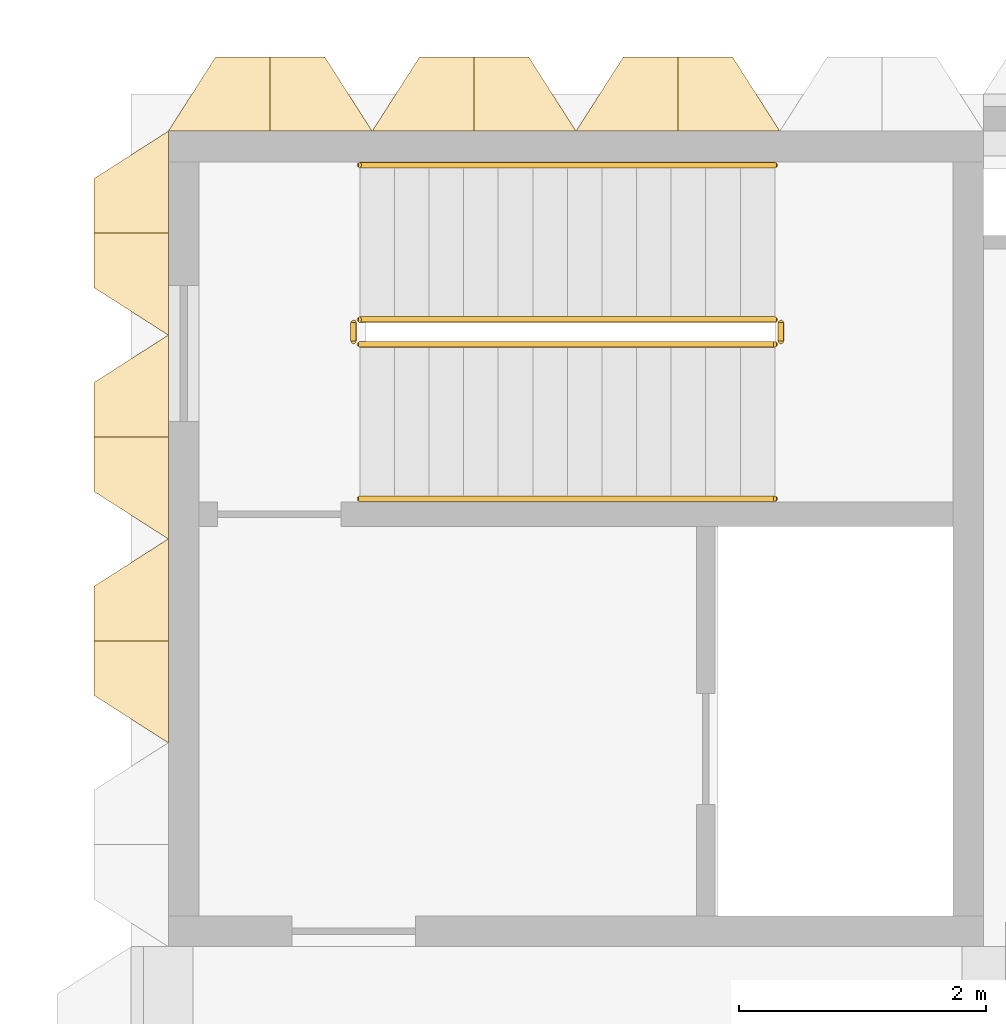
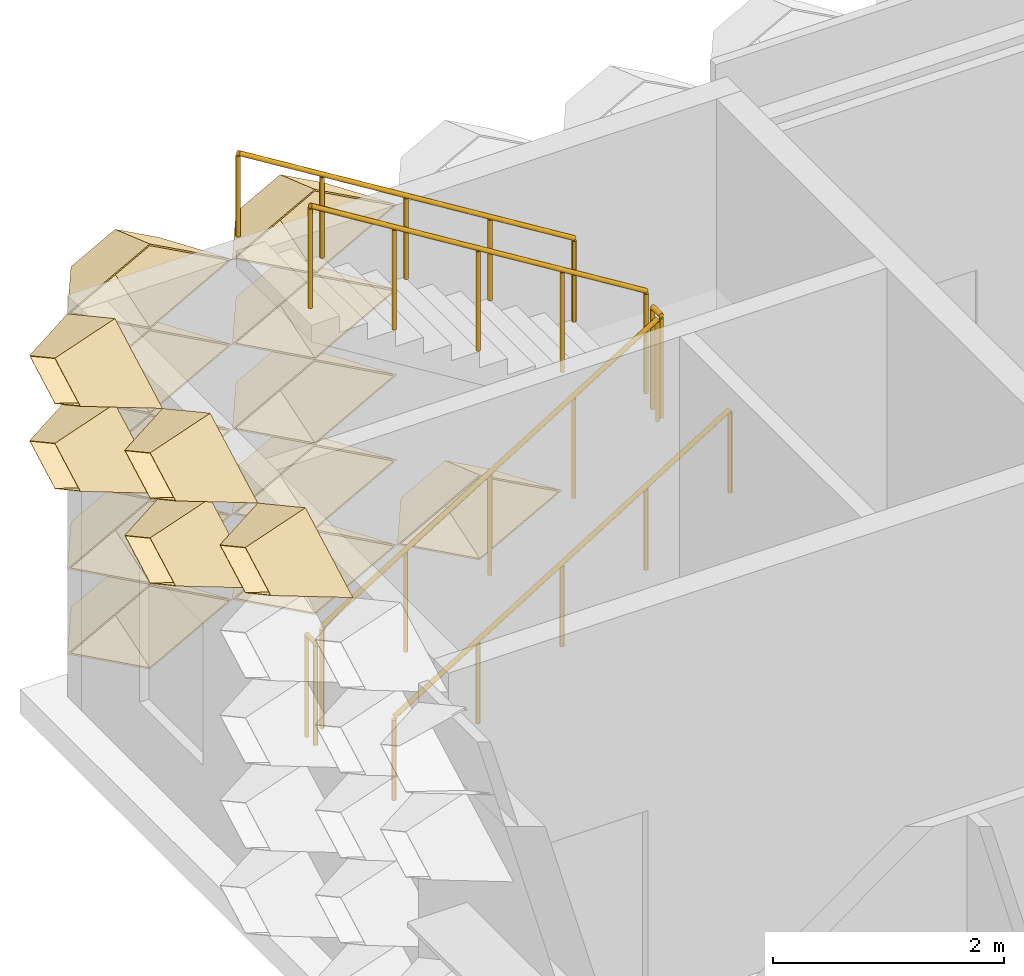
# One storey, part 91 of 102: 16 coverings, 6 railings.
"""IFC4 building model written with IfcOpenShell, lengths in metres."""

from ifc_helpers import new_model, entity, si_unit, direction, frame, origin, origin_2d, place, context, subcontext, project, spatial, circle, extrude, material, layer, layer_set, type_object, element, save


model = new_model("IFC4")

# Units and contexts
model_context = context("Model", 3, precision=1e-05, world=origin(), true_north=direction((0.0, 1.0)))
body_context = subcontext(model_context, "Body", "Model", "MODEL_VIEW")
ifc_project = project(units=[si_unit("LENGTHUNIT", "METRE"), si_unit("AREAUNIT", "SQUARE_METRE"), si_unit("VOLUMEUNIT", "CUBIC_METRE"), si_unit("PLANEANGLEUNIT", "RADIAN"), si_unit("MASSUNIT", "GRAM", prefix="KILO")], contexts=[model_context])

# Site, building, storey
site_placement = place(None, origin())
site = spatial("IfcSite", under=ifc_project, at=site_placement, CompositionType="ELEMENT")
building_placement = place(site_placement, origin())
building = spatial("IfcBuilding", under=site, at=building_placement, Name="Lantern Court Research Institute", CompositionType="ELEMENT")
storey_placement = place(building_placement, frame((0.0, 0.0, 9.89990234375)))
storey = spatial("IfcBuildingStorey", under=building, at=storey_placement, Name="L02", CompositionType="ELEMENT", Elevation=9.89990234375)

# Coverings
ifc_material_1 = material(Name="Anodised aluminium", Category="aluminium")
ifc_layer = layer(ifc_material_1, 0.01611328125)
ifc_layer_set = layer_set([ifc_layer], Name="Anodised aluminium")
covering_type = type_object("IfcCoveringType", Name="Fin cassette 1650 x 900 x 600 aluminium", PredefinedType="CLADDING", material=ifc_layer_set)
covering_1_placement = place(storey_placement, frame((0.824951171875, 99.0, 0.4501953125), z_axis=(0.0, 1.0, 0.0), x_axis=(-1.0, 0.0, 0.0)))
cartesian_point_1 = entity("IfcCartesianPoint", [0.824951171875, 0.0])
cartesian_point_2 = entity("IfcCartesianPoint", [0.79150390625, 0.0])
cartesian_point_3 = entity("IfcCartesianPoint", [0.44189453125, 0.0])
cartesian_point_4 = entity("IfcCartesianPoint", [0.43359375, 0.0])
element("IfcCovering", 1, at=covering_1_placement, inside=storey, type_object=covering_type, Name="Fin cassette V6N-L02 1.1", PredefinedType="CLADDING", context=body_context, shape_type="SweptSolid", body=[
    entity("IfcExtrudedAreaSolidTapered", entity("IfcArbitraryProfileDefWithVoids", "AREA", None, entity("IfcPolyline", [cartesian_point_1, entity("IfcCartesianPoint", [0.0, 0.449951171875]), entity("IfcCartesianPoint", [-0.824951171875, 0.0]), entity("IfcCartesianPoint", [0.0, -0.449951171875]), cartesian_point_1]), [entity("IfcPolyline", [cartesian_point_2, entity("IfcCartesianPoint", [0.0, 0.431884765625]), entity("IfcCartesianPoint", [-0.79150390625, 0.0]), entity("IfcCartesianPoint", [0.0, -0.431884765625]), cartesian_point_2])]), entity("IfcAxis2Placement3D", entity("IfcCartesianPoint", [0.0, 0.0, 0.0])), entity("IfcDirection", [0.0, 0.0, 1.0]), 0.60009765625, entity("IfcArbitraryProfileDefWithVoids", "AREA", None, entity("IfcPolyline", [cartesian_point_3, entity("IfcCartesianPoint", [0.0, 0.240966796875]), entity("IfcCartesianPoint", [-0.44189453125, 0.0]), entity("IfcCartesianPoint", [0.0, -0.240966796875]), cartesian_point_3]), [entity("IfcPolyline", [cartesian_point_4, entity("IfcCartesianPoint", [0.0, 0.236572265625]), entity("IfcCartesianPoint", [-0.43359375, 0.0]), entity("IfcCartesianPoint", [0.0, -0.236572265625]), cartesian_point_4])])),
])
covering_2_placement = place(storey_placement, frame((2.47509765625, 99.0, 0.4501953125), z_axis=(0.0, 1.0, 0.0), x_axis=(-1.0, 0.0, 0.0)))
cartesian_point_5 = entity("IfcCartesianPoint", [0.824951171875, 0.0])
cartesian_point_6 = entity("IfcCartesianPoint", [0.79150390625, 0.0])
cartesian_point_7 = entity("IfcCartesianPoint", [0.44189453125, 0.0])
cartesian_point_8 = entity("IfcCartesianPoint", [0.43359375, 0.0])
element("IfcCovering", 2, at=covering_2_placement, inside=storey, type_object=covering_type, Name="Fin cassette V6N-L02 1.2", PredefinedType="CLADDING", context=body_context, shape_type="SweptSolid", body=[
    entity("IfcExtrudedAreaSolidTapered", entity("IfcArbitraryProfileDefWithVoids", "AREA", None, entity("IfcPolyline", [cartesian_point_5, entity("IfcCartesianPoint", [0.0, 0.449951171875]), entity("IfcCartesianPoint", [-0.824951171875, 0.0]), entity("IfcCartesianPoint", [0.0, -0.449951171875]), cartesian_point_5]), [entity("IfcPolyline", [cartesian_point_6, entity("IfcCartesianPoint", [0.0, 0.431884765625]), entity("IfcCartesianPoint", [-0.79150390625, 0.0]), entity("IfcCartesianPoint", [0.0, -0.431884765625]), cartesian_point_6])]), entity("IfcAxis2Placement3D", entity("IfcCartesianPoint", [0.0, 0.0, 0.0])), entity("IfcDirection", [0.0, 0.0, 1.0]), 0.60009765625, entity("IfcArbitraryProfileDefWithVoids", "AREA", None, entity("IfcPolyline", [cartesian_point_7, entity("IfcCartesianPoint", [0.0, 0.240966796875]), entity("IfcCartesianPoint", [-0.44189453125, 0.0]), entity("IfcCartesianPoint", [0.0, -0.240966796875]), cartesian_point_7]), [entity("IfcPolyline", [cartesian_point_8, entity("IfcCartesianPoint", [0.0, 0.236572265625]), entity("IfcCartesianPoint", [-0.43359375, 0.0]), entity("IfcCartesianPoint", [0.0, -0.236572265625]), cartesian_point_8])])),
])
covering_3_placement = place(storey_placement, frame((4.125, 99.0, 0.4501953125), z_axis=(0.0, 1.0, 0.0), x_axis=(-1.0, 0.0, 0.0)))
cartesian_point_9 = entity("IfcCartesianPoint", [0.824951171875, 0.0])
cartesian_point_10 = entity("IfcCartesianPoint", [0.79150390625, 0.0])
cartesian_point_11 = entity("IfcCartesianPoint", [0.44189453125, 0.0])
cartesian_point_12 = entity("IfcCartesianPoint", [0.43359375, 0.0])
element("IfcCovering", 3, at=covering_3_placement, inside=storey, type_object=covering_type, Name="Fin cassette V6N-L02 1.3", PredefinedType="CLADDING", context=body_context, shape_type="SweptSolid", body=[
    entity("IfcExtrudedAreaSolidTapered", entity("IfcArbitraryProfileDefWithVoids", "AREA", None, entity("IfcPolyline", [cartesian_point_9, entity("IfcCartesianPoint", [0.0, 0.449951171875]), entity("IfcCartesianPoint", [-0.824951171875, 0.0]), entity("IfcCartesianPoint", [0.0, -0.449951171875]), cartesian_point_9]), [entity("IfcPolyline", [cartesian_point_10, entity("IfcCartesianPoint", [0.0, 0.431884765625]), entity("IfcCartesianPoint", [-0.79150390625, 0.0]), entity("IfcCartesianPoint", [0.0, -0.431884765625]), cartesian_point_10])]), entity("IfcAxis2Placement3D", entity("IfcCartesianPoint", [0.0, 0.0, 0.0])), entity("IfcDirection", [0.0, 0.0, 1.0]), 0.60009765625, entity("IfcArbitraryProfileDefWithVoids", "AREA", None, entity("IfcPolyline", [cartesian_point_11, entity("IfcCartesianPoint", [0.0, 0.240966796875]), entity("IfcCartesianPoint", [-0.44189453125, 0.0]), entity("IfcCartesianPoint", [0.0, -0.240966796875]), cartesian_point_11]), [entity("IfcPolyline", [cartesian_point_12, entity("IfcCartesianPoint", [0.0, 0.236572265625]), entity("IfcCartesianPoint", [-0.43359375, 0.0]), entity("IfcCartesianPoint", [0.0, -0.236572265625]), cartesian_point_12])])),
])
covering_4_placement = place(storey_placement, frame((0.824951171875, 99.0, 1.35009765625), z_axis=(0.0, 1.0, 0.0), x_axis=(-1.0, 0.0, 0.0)))
cartesian_point_13 = entity("IfcCartesianPoint", [0.824951171875, 0.0])
cartesian_point_14 = entity("IfcCartesianPoint", [0.79150390625, 0.0])
cartesian_point_15 = entity("IfcCartesianPoint", [0.44189453125, 0.0])
cartesian_point_16 = entity("IfcCartesianPoint", [0.43359375, 0.0])
element("IfcCovering", 4, at=covering_4_placement, inside=storey, type_object=covering_type, Name="Fin cassette V6N-L02 2.1", PredefinedType="CLADDING", context=body_context, shape_type="SweptSolid", body=[
    entity("IfcExtrudedAreaSolidTapered", entity("IfcArbitraryProfileDefWithVoids", "AREA", None, entity("IfcPolyline", [cartesian_point_13, entity("IfcCartesianPoint", [0.0, 0.449951171875]), entity("IfcCartesianPoint", [-0.824951171875, 0.0]), entity("IfcCartesianPoint", [0.0, -0.449951171875]), cartesian_point_13]), [entity("IfcPolyline", [cartesian_point_14, entity("IfcCartesianPoint", [0.0, 0.431884765625]), entity("IfcCartesianPoint", [-0.79150390625, 0.0]), entity("IfcCartesianPoint", [0.0, -0.431884765625]), cartesian_point_14])]), entity("IfcAxis2Placement3D", entity("IfcCartesianPoint", [0.0, 0.0, 0.0])), entity("IfcDirection", [0.0, 0.0, 1.0]), 0.60009765625, entity("IfcArbitraryProfileDefWithVoids", "AREA", None, entity("IfcPolyline", [cartesian_point_15, entity("IfcCartesianPoint", [0.0, 0.240966796875]), entity("IfcCartesianPoint", [-0.44189453125, 0.0]), entity("IfcCartesianPoint", [0.0, -0.240966796875]), cartesian_point_15]), [entity("IfcPolyline", [cartesian_point_16, entity("IfcCartesianPoint", [0.0, 0.236572265625]), entity("IfcCartesianPoint", [-0.43359375, 0.0]), entity("IfcCartesianPoint", [0.0, -0.236572265625]), cartesian_point_16])])),
])
covering_5_placement = place(storey_placement, frame((2.47509765625, 99.0, 1.35009765625), z_axis=(0.0, 1.0, 0.0), x_axis=(-1.0, 0.0, 0.0)))
cartesian_point_17 = entity("IfcCartesianPoint", [0.824951171875, 0.0])
cartesian_point_18 = entity("IfcCartesianPoint", [0.79150390625, 0.0])
cartesian_point_19 = entity("IfcCartesianPoint", [0.44189453125, 0.0])
cartesian_point_20 = entity("IfcCartesianPoint", [0.43359375, 0.0])
element("IfcCovering", 5, at=covering_5_placement, inside=storey, type_object=covering_type, Name="Fin cassette V6N-L02 2.2", PredefinedType="CLADDING", context=body_context, shape_type="SweptSolid", body=[
    entity("IfcExtrudedAreaSolidTapered", entity("IfcArbitraryProfileDefWithVoids", "AREA", None, entity("IfcPolyline", [cartesian_point_17, entity("IfcCartesianPoint", [0.0, 0.449951171875]), entity("IfcCartesianPoint", [-0.824951171875, 0.0]), entity("IfcCartesianPoint", [0.0, -0.449951171875]), cartesian_point_17]), [entity("IfcPolyline", [cartesian_point_18, entity("IfcCartesianPoint", [0.0, 0.431884765625]), entity("IfcCartesianPoint", [-0.79150390625, 0.0]), entity("IfcCartesianPoint", [0.0, -0.431884765625]), cartesian_point_18])]), entity("IfcAxis2Placement3D", entity("IfcCartesianPoint", [0.0, 0.0, 0.0])), entity("IfcDirection", [0.0, 0.0, 1.0]), 0.60009765625, entity("IfcArbitraryProfileDefWithVoids", "AREA", None, entity("IfcPolyline", [cartesian_point_19, entity("IfcCartesianPoint", [0.0, 0.240966796875]), entity("IfcCartesianPoint", [-0.44189453125, 0.0]), entity("IfcCartesianPoint", [0.0, -0.240966796875]), cartesian_point_19]), [entity("IfcPolyline", [cartesian_point_20, entity("IfcCartesianPoint", [0.0, 0.236572265625]), entity("IfcCartesianPoint", [-0.43359375, 0.0]), entity("IfcCartesianPoint", [0.0, -0.236572265625]), cartesian_point_20])])),
])
covering_6_placement = place(storey_placement, frame((0.824951171875, 99.0, 2.25), z_axis=(0.0, 1.0, 0.0), x_axis=(-1.0, 0.0, 0.0)))
cartesian_point_21 = entity("IfcCartesianPoint", [0.824951171875, 0.0])
cartesian_point_22 = entity("IfcCartesianPoint", [0.79150390625, 0.0])
cartesian_point_23 = entity("IfcCartesianPoint", [0.44189453125, 0.0])
cartesian_point_24 = entity("IfcCartesianPoint", [0.43359375, 0.0])
element("IfcCovering", 6, at=covering_6_placement, inside=storey, type_object=covering_type, Name="Fin cassette V6N-L02 3.1", PredefinedType="CLADDING", context=body_context, shape_type="SweptSolid", body=[
    entity("IfcExtrudedAreaSolidTapered", entity("IfcArbitraryProfileDefWithVoids", "AREA", None, entity("IfcPolyline", [cartesian_point_21, entity("IfcCartesianPoint", [0.0, 0.449951171875]), entity("IfcCartesianPoint", [-0.824951171875, 0.0]), entity("IfcCartesianPoint", [0.0, -0.449951171875]), cartesian_point_21]), [entity("IfcPolyline", [cartesian_point_22, entity("IfcCartesianPoint", [0.0, 0.431884765625]), entity("IfcCartesianPoint", [-0.79150390625, 0.0]), entity("IfcCartesianPoint", [0.0, -0.431884765625]), cartesian_point_22])]), entity("IfcAxis2Placement3D", entity("IfcCartesianPoint", [0.0, 0.0, 0.0])), entity("IfcDirection", [0.0, 0.0, 1.0]), 0.60009765625, entity("IfcArbitraryProfileDefWithVoids", "AREA", None, entity("IfcPolyline", [cartesian_point_23, entity("IfcCartesianPoint", [0.0, 0.240966796875]), entity("IfcCartesianPoint", [-0.44189453125, 0.0]), entity("IfcCartesianPoint", [0.0, -0.240966796875]), cartesian_point_23]), [entity("IfcPolyline", [cartesian_point_24, entity("IfcCartesianPoint", [0.0, 0.236572265625]), entity("IfcCartesianPoint", [-0.43359375, 0.0]), entity("IfcCartesianPoint", [0.0, -0.236572265625]), cartesian_point_24])])),
])
covering_7_placement = place(storey_placement, frame((2.47509765625, 99.0, 2.25), z_axis=(0.0, 1.0, 0.0), x_axis=(-1.0, 0.0, 0.0)))
cartesian_point_25 = entity("IfcCartesianPoint", [0.824951171875, 0.0])
cartesian_point_26 = entity("IfcCartesianPoint", [0.79150390625, 0.0])
cartesian_point_27 = entity("IfcCartesianPoint", [0.44189453125, 0.0])
cartesian_point_28 = entity("IfcCartesianPoint", [0.43359375, 0.0])
element("IfcCovering", 7, at=covering_7_placement, inside=storey, type_object=covering_type, Name="Fin cassette V6N-L02 3.2", PredefinedType="CLADDING", context=body_context, shape_type="SweptSolid", body=[
    entity("IfcExtrudedAreaSolidTapered", entity("IfcArbitraryProfileDefWithVoids", "AREA", None, entity("IfcPolyline", [cartesian_point_25, entity("IfcCartesianPoint", [0.0, 0.449951171875]), entity("IfcCartesianPoint", [-0.824951171875, 0.0]), entity("IfcCartesianPoint", [0.0, -0.449951171875]), cartesian_point_25]), [entity("IfcPolyline", [cartesian_point_26, entity("IfcCartesianPoint", [0.0, 0.431884765625]), entity("IfcCartesianPoint", [-0.79150390625, 0.0]), entity("IfcCartesianPoint", [0.0, -0.431884765625]), cartesian_point_26])]), entity("IfcAxis2Placement3D", entity("IfcCartesianPoint", [0.0, 0.0, 0.0])), entity("IfcDirection", [0.0, 0.0, 1.0]), 0.60009765625, entity("IfcArbitraryProfileDefWithVoids", "AREA", None, entity("IfcPolyline", [cartesian_point_27, entity("IfcCartesianPoint", [0.0, 0.240966796875]), entity("IfcCartesianPoint", [-0.44189453125, 0.0]), entity("IfcCartesianPoint", [0.0, -0.240966796875]), cartesian_point_27]), [entity("IfcPolyline", [cartesian_point_28, entity("IfcCartesianPoint", [0.0, 0.236572265625]), entity("IfcCartesianPoint", [-0.43359375, 0.0]), entity("IfcCartesianPoint", [0.0, -0.236572265625]), cartesian_point_28])])),
])
covering_8_placement = place(storey_placement, frame((0.824951171875, 99.0, 3.150146484375), z_axis=(0.0, 1.0, 0.0), x_axis=(-1.0, 0.0, 0.0)))
cartesian_point_29 = entity("IfcCartesianPoint", [0.824951171875, 0.0])
cartesian_point_30 = entity("IfcCartesianPoint", [0.79150390625, 0.0])
cartesian_point_31 = entity("IfcCartesianPoint", [0.44189453125, 0.0])
cartesian_point_32 = entity("IfcCartesianPoint", [0.43359375, 0.0])
element("IfcCovering", 8, at=covering_8_placement, inside=storey, type_object=covering_type, Name="Fin cassette V6N-L02 4.1", PredefinedType="CLADDING", context=body_context, shape_type="SweptSolid", body=[
    entity("IfcExtrudedAreaSolidTapered", entity("IfcArbitraryProfileDefWithVoids", "AREA", None, entity("IfcPolyline", [cartesian_point_29, entity("IfcCartesianPoint", [0.0, 0.449951171875]), entity("IfcCartesianPoint", [-0.824951171875, 0.0]), entity("IfcCartesianPoint", [0.0, -0.449951171875]), cartesian_point_29]), [entity("IfcPolyline", [cartesian_point_30, entity("IfcCartesianPoint", [0.0, 0.431884765625]), entity("IfcCartesianPoint", [-0.79150390625, 0.0]), entity("IfcCartesianPoint", [0.0, -0.431884765625]), cartesian_point_30])]), entity("IfcAxis2Placement3D", entity("IfcCartesianPoint", [0.0, 0.0, 0.0])), entity("IfcDirection", [0.0, 0.0, 1.0]), 0.60009765625, entity("IfcArbitraryProfileDefWithVoids", "AREA", None, entity("IfcPolyline", [cartesian_point_31, entity("IfcCartesianPoint", [0.0, 0.240966796875]), entity("IfcCartesianPoint", [-0.44189453125, 0.0]), entity("IfcCartesianPoint", [0.0, -0.240966796875]), cartesian_point_31]), [entity("IfcPolyline", [cartesian_point_32, entity("IfcCartesianPoint", [0.0, 0.236572265625]), entity("IfcCartesianPoint", [-0.43359375, 0.0]), entity("IfcCartesianPoint", [0.0, -0.236572265625]), cartesian_point_32])])),
])
covering_9_placement = place(storey_placement, frame((2.47509765625, 99.0, 3.150146484375), z_axis=(0.0, 1.0, 0.0), x_axis=(-1.0, 0.0, 0.0)))
cartesian_point_33 = entity("IfcCartesianPoint", [0.824951171875, 0.0])
cartesian_point_34 = entity("IfcCartesianPoint", [0.79150390625, 0.0])
cartesian_point_35 = entity("IfcCartesianPoint", [0.44189453125, 0.0])
cartesian_point_36 = entity("IfcCartesianPoint", [0.43359375, 0.0])
element("IfcCovering", 9, at=covering_9_placement, inside=storey, type_object=covering_type, Name="Fin cassette V6N-L02 4.2", PredefinedType="CLADDING", context=body_context, shape_type="SweptSolid", body=[
    entity("IfcExtrudedAreaSolidTapered", entity("IfcArbitraryProfileDefWithVoids", "AREA", None, entity("IfcPolyline", [cartesian_point_33, entity("IfcCartesianPoint", [0.0, 0.449951171875]), entity("IfcCartesianPoint", [-0.824951171875, 0.0]), entity("IfcCartesianPoint", [0.0, -0.449951171875]), cartesian_point_33]), [entity("IfcPolyline", [cartesian_point_34, entity("IfcCartesianPoint", [0.0, 0.431884765625]), entity("IfcCartesianPoint", [-0.79150390625, 0.0]), entity("IfcCartesianPoint", [0.0, -0.431884765625]), cartesian_point_34])]), entity("IfcAxis2Placement3D", entity("IfcCartesianPoint", [0.0, 0.0, 0.0])), entity("IfcDirection", [0.0, 0.0, 1.0]), 0.60009765625, entity("IfcArbitraryProfileDefWithVoids", "AREA", None, entity("IfcPolyline", [cartesian_point_35, entity("IfcCartesianPoint", [0.0, 0.240966796875]), entity("IfcCartesianPoint", [-0.44189453125, 0.0]), entity("IfcCartesianPoint", [0.0, -0.240966796875]), cartesian_point_35]), [entity("IfcPolyline", [cartesian_point_36, entity("IfcCartesianPoint", [0.0, 0.236572265625]), entity("IfcCartesianPoint", [-0.43359375, 0.0]), entity("IfcCartesianPoint", [0.0, -0.236572265625]), cartesian_point_36])])),
])
covering_10_placement = place(storey_placement, frame((0.824951171875, 99.0, 4.050048828125), z_axis=(0.0, 1.0, 0.0), x_axis=(-1.0, 0.0, 0.0)))
cartesian_point_37 = entity("IfcCartesianPoint", [0.824951171875, 0.0])
cartesian_point_38 = entity("IfcCartesianPoint", [0.79150390625, 0.0])
cartesian_point_39 = entity("IfcCartesianPoint", [0.44189453125, 0.0])
cartesian_point_40 = entity("IfcCartesianPoint", [0.43359375, 0.0])
element("IfcCovering", 10, at=covering_10_placement, inside=storey, type_object=covering_type, Name="Fin cassette V6N-L02 5.1", PredefinedType="CLADDING", context=body_context, shape_type="SweptSolid", body=[
    entity("IfcExtrudedAreaSolidTapered", entity("IfcArbitraryProfileDefWithVoids", "AREA", None, entity("IfcPolyline", [cartesian_point_37, entity("IfcCartesianPoint", [0.0, 0.449951171875]), entity("IfcCartesianPoint", [-0.824951171875, 0.0]), entity("IfcCartesianPoint", [0.0, -0.449951171875]), cartesian_point_37]), [entity("IfcPolyline", [cartesian_point_38, entity("IfcCartesianPoint", [0.0, 0.431884765625]), entity("IfcCartesianPoint", [-0.79150390625, 0.0]), entity("IfcCartesianPoint", [0.0, -0.431884765625]), cartesian_point_38])]), entity("IfcAxis2Placement3D", entity("IfcCartesianPoint", [0.0, 0.0, 0.0])), entity("IfcDirection", [0.0, 0.0, 1.0]), 0.60009765625, entity("IfcArbitraryProfileDefWithVoids", "AREA", None, entity("IfcPolyline", [cartesian_point_39, entity("IfcCartesianPoint", [0.0, 0.240966796875]), entity("IfcCartesianPoint", [-0.44189453125, 0.0]), entity("IfcCartesianPoint", [0.0, -0.240966796875]), cartesian_point_39]), [entity("IfcPolyline", [cartesian_point_40, entity("IfcCartesianPoint", [0.0, 0.236572265625]), entity("IfcCartesianPoint", [-0.43359375, 0.0]), entity("IfcCartesianPoint", [0.0, -0.236572265625]), cartesian_point_40])])),
])
covering_11_placement = place(storey_placement, frame((2.47509765625, 99.0, 4.050048828125), z_axis=(0.0, 1.0, 0.0), x_axis=(-1.0, 0.0, 0.0)))
cartesian_point_41 = entity("IfcCartesianPoint", [0.824951171875, 0.0])
cartesian_point_42 = entity("IfcCartesianPoint", [0.79150390625, 0.0])
cartesian_point_43 = entity("IfcCartesianPoint", [0.44189453125, 0.0])
cartesian_point_44 = entity("IfcCartesianPoint", [0.43359375, 0.0])
element("IfcCovering", 11, at=covering_11_placement, inside=storey, type_object=covering_type, Name="Fin cassette V6N-L02 5.2", PredefinedType="CLADDING", context=body_context, shape_type="SweptSolid", body=[
    entity("IfcExtrudedAreaSolidTapered", entity("IfcArbitraryProfileDefWithVoids", "AREA", None, entity("IfcPolyline", [cartesian_point_41, entity("IfcCartesianPoint", [0.0, 0.449951171875]), entity("IfcCartesianPoint", [-0.824951171875, 0.0]), entity("IfcCartesianPoint", [0.0, -0.449951171875]), cartesian_point_41]), [entity("IfcPolyline", [cartesian_point_42, entity("IfcCartesianPoint", [0.0, 0.431884765625]), entity("IfcCartesianPoint", [-0.79150390625, 0.0]), entity("IfcCartesianPoint", [0.0, -0.431884765625]), cartesian_point_42])]), entity("IfcAxis2Placement3D", entity("IfcCartesianPoint", [0.0, 0.0, 0.0])), entity("IfcDirection", [0.0, 0.0, 1.0]), 0.60009765625, entity("IfcArbitraryProfileDefWithVoids", "AREA", None, entity("IfcPolyline", [cartesian_point_43, entity("IfcCartesianPoint", [0.0, 0.240966796875]), entity("IfcCartesianPoint", [-0.44189453125, 0.0]), entity("IfcCartesianPoint", [0.0, -0.240966796875]), cartesian_point_43]), [entity("IfcPolyline", [cartesian_point_44, entity("IfcCartesianPoint", [0.0, 0.236572265625]), entity("IfcCartesianPoint", [-0.43359375, 0.0]), entity("IfcCartesianPoint", [0.0, -0.236572265625]), cartesian_point_44])])),
])
covering_12_placement = place(storey_placement, frame((0.0, 96.52490234375, 3.150146484375), z_axis=(-1.0, 0.0, 0.0), x_axis=(0.0, -1.0, 0.0)))
cartesian_point_45 = entity("IfcCartesianPoint", [0.824951171875, 0.0])
cartesian_point_46 = entity("IfcCartesianPoint", [0.79150390625, 0.0])
cartesian_point_47 = entity("IfcCartesianPoint", [0.44189453125, 0.0])
cartesian_point_48 = entity("IfcCartesianPoint", [0.43359375, 0.0])
element("IfcCovering", 12, at=covering_12_placement, inside=storey, type_object=covering_type, Name="Fin cassette V6W-L02 4.59", PredefinedType="CLADDING", context=body_context, shape_type="SweptSolid", body=[
    entity("IfcExtrudedAreaSolidTapered", entity("IfcArbitraryProfileDefWithVoids", "AREA", None, entity("IfcPolyline", [cartesian_point_45, entity("IfcCartesianPoint", [0.0, 0.449951171875]), entity("IfcCartesianPoint", [-0.824951171875, 0.0]), entity("IfcCartesianPoint", [0.0, -0.449951171875]), cartesian_point_45]), [entity("IfcPolyline", [cartesian_point_46, entity("IfcCartesianPoint", [0.0, 0.431884765625]), entity("IfcCartesianPoint", [-0.79150390625, 0.0]), entity("IfcCartesianPoint", [0.0, -0.431884765625]), cartesian_point_46])]), entity("IfcAxis2Placement3D", entity("IfcCartesianPoint", [0.0, 0.0, 0.0])), entity("IfcDirection", [0.0, 0.0, 1.0]), 0.60009765625, entity("IfcArbitraryProfileDefWithVoids", "AREA", None, entity("IfcPolyline", [cartesian_point_47, entity("IfcCartesianPoint", [0.0, 0.240966796875]), entity("IfcCartesianPoint", [-0.44189453125, 0.0]), entity("IfcCartesianPoint", [0.0, -0.240966796875]), cartesian_point_47]), [entity("IfcPolyline", [cartesian_point_48, entity("IfcCartesianPoint", [0.0, 0.236572265625]), entity("IfcCartesianPoint", [-0.43359375, 0.0]), entity("IfcCartesianPoint", [0.0, -0.236572265625]), cartesian_point_48])])),
])
covering_13_placement = place(storey_placement, frame((0.0, 98.175048828125, 3.150146484375), z_axis=(-1.0, 0.0, 0.0), x_axis=(0.0, -1.0, 0.0)))
cartesian_point_49 = entity("IfcCartesianPoint", [0.824951171875, 0.0])
cartesian_point_50 = entity("IfcCartesianPoint", [0.79150390625, 0.0])
cartesian_point_51 = entity("IfcCartesianPoint", [0.44189453125, 0.0])
cartesian_point_52 = entity("IfcCartesianPoint", [0.43359375, 0.0])
element("IfcCovering", 13, at=covering_13_placement, inside=storey, type_object=covering_type, Name="Fin cassette V6W-L02 4.60", PredefinedType="CLADDING", context=body_context, shape_type="SweptSolid", body=[
    entity("IfcExtrudedAreaSolidTapered", entity("IfcArbitraryProfileDefWithVoids", "AREA", None, entity("IfcPolyline", [cartesian_point_49, entity("IfcCartesianPoint", [0.0, 0.449951171875]), entity("IfcCartesianPoint", [-0.824951171875, 0.0]), entity("IfcCartesianPoint", [0.0, -0.449951171875]), cartesian_point_49]), [entity("IfcPolyline", [cartesian_point_50, entity("IfcCartesianPoint", [0.0, 0.431884765625]), entity("IfcCartesianPoint", [-0.79150390625, 0.0]), entity("IfcCartesianPoint", [0.0, -0.431884765625]), cartesian_point_50])]), entity("IfcAxis2Placement3D", entity("IfcCartesianPoint", [0.0, 0.0, 0.0])), entity("IfcDirection", [0.0, 0.0, 1.0]), 0.60009765625, entity("IfcArbitraryProfileDefWithVoids", "AREA", None, entity("IfcPolyline", [cartesian_point_51, entity("IfcCartesianPoint", [0.0, 0.240966796875]), entity("IfcCartesianPoint", [-0.44189453125, 0.0]), entity("IfcCartesianPoint", [0.0, -0.240966796875]), cartesian_point_51]), [entity("IfcPolyline", [cartesian_point_52, entity("IfcCartesianPoint", [0.0, 0.236572265625]), entity("IfcCartesianPoint", [-0.43359375, 0.0]), entity("IfcCartesianPoint", [0.0, -0.236572265625]), cartesian_point_52])])),
])
covering_14_placement = place(storey_placement, frame((0.0, 94.875, 4.050048828125), z_axis=(-1.0, 0.0, 0.0), x_axis=(0.0, -1.0, 0.0)))
cartesian_point_53 = entity("IfcCartesianPoint", [0.824951171875, 0.0])
cartesian_point_54 = entity("IfcCartesianPoint", [0.79150390625, 0.0])
cartesian_point_55 = entity("IfcCartesianPoint", [0.44189453125, 0.0])
cartesian_point_56 = entity("IfcCartesianPoint", [0.43359375, 0.0])
element("IfcCovering", 14, at=covering_14_placement, inside=storey, type_object=covering_type, Name="Fin cassette V6W-L02 5.58", PredefinedType="CLADDING", context=body_context, shape_type="SweptSolid", body=[
    entity("IfcExtrudedAreaSolidTapered", entity("IfcArbitraryProfileDefWithVoids", "AREA", None, entity("IfcPolyline", [cartesian_point_53, entity("IfcCartesianPoint", [0.0, 0.449951171875]), entity("IfcCartesianPoint", [-0.824951171875, 0.0]), entity("IfcCartesianPoint", [0.0, -0.449951171875]), cartesian_point_53]), [entity("IfcPolyline", [cartesian_point_54, entity("IfcCartesianPoint", [0.0, 0.431884765625]), entity("IfcCartesianPoint", [-0.79150390625, 0.0]), entity("IfcCartesianPoint", [0.0, -0.431884765625]), cartesian_point_54])]), entity("IfcAxis2Placement3D", entity("IfcCartesianPoint", [0.0, 0.0, 0.0])), entity("IfcDirection", [0.0, 0.0, 1.0]), 0.60009765625, entity("IfcArbitraryProfileDefWithVoids", "AREA", None, entity("IfcPolyline", [cartesian_point_55, entity("IfcCartesianPoint", [0.0, 0.240966796875]), entity("IfcCartesianPoint", [-0.44189453125, 0.0]), entity("IfcCartesianPoint", [0.0, -0.240966796875]), cartesian_point_55]), [entity("IfcPolyline", [cartesian_point_56, entity("IfcCartesianPoint", [0.0, 0.236572265625]), entity("IfcCartesianPoint", [-0.43359375, 0.0]), entity("IfcCartesianPoint", [0.0, -0.236572265625]), cartesian_point_56])])),
])
covering_15_placement = place(storey_placement, frame((0.0, 96.52490234375, 4.050048828125), z_axis=(-1.0, 0.0, 0.0), x_axis=(0.0, -1.0, 0.0)))
cartesian_point_57 = entity("IfcCartesianPoint", [0.824951171875, 0.0])
cartesian_point_58 = entity("IfcCartesianPoint", [0.79150390625, 0.0])
cartesian_point_59 = entity("IfcCartesianPoint", [0.44189453125, 0.0])
cartesian_point_60 = entity("IfcCartesianPoint", [0.43359375, 0.0])
element("IfcCovering", 15, at=covering_15_placement, inside=storey, type_object=covering_type, Name="Fin cassette V6W-L02 5.59", PredefinedType="CLADDING", context=body_context, shape_type="SweptSolid", body=[
    entity("IfcExtrudedAreaSolidTapered", entity("IfcArbitraryProfileDefWithVoids", "AREA", None, entity("IfcPolyline", [cartesian_point_57, entity("IfcCartesianPoint", [0.0, 0.449951171875]), entity("IfcCartesianPoint", [-0.824951171875, 0.0]), entity("IfcCartesianPoint", [0.0, -0.449951171875]), cartesian_point_57]), [entity("IfcPolyline", [cartesian_point_58, entity("IfcCartesianPoint", [0.0, 0.431884765625]), entity("IfcCartesianPoint", [-0.79150390625, 0.0]), entity("IfcCartesianPoint", [0.0, -0.431884765625]), cartesian_point_58])]), entity("IfcAxis2Placement3D", entity("IfcCartesianPoint", [0.0, 0.0, 0.0])), entity("IfcDirection", [0.0, 0.0, 1.0]), 0.60009765625, entity("IfcArbitraryProfileDefWithVoids", "AREA", None, entity("IfcPolyline", [cartesian_point_59, entity("IfcCartesianPoint", [0.0, 0.240966796875]), entity("IfcCartesianPoint", [-0.44189453125, 0.0]), entity("IfcCartesianPoint", [0.0, -0.240966796875]), cartesian_point_59]), [entity("IfcPolyline", [cartesian_point_60, entity("IfcCartesianPoint", [0.0, 0.236572265625]), entity("IfcCartesianPoint", [-0.43359375, 0.0]), entity("IfcCartesianPoint", [0.0, -0.236572265625]), cartesian_point_60])])),
])
covering_16_placement = place(storey_placement, frame((0.0, 98.175048828125, 4.050048828125), z_axis=(-1.0, 0.0, 0.0), x_axis=(0.0, -1.0, 0.0)))
cartesian_point_61 = entity("IfcCartesianPoint", [0.824951171875, 0.0])
cartesian_point_62 = entity("IfcCartesianPoint", [0.79150390625, 0.0])
cartesian_point_63 = entity("IfcCartesianPoint", [0.44189453125, 0.0])
cartesian_point_64 = entity("IfcCartesianPoint", [0.43359375, 0.0])
element("IfcCovering", 16, at=covering_16_placement, inside=storey, type_object=covering_type, Name="Fin cassette V6W-L02 5.60", PredefinedType="CLADDING", context=body_context, shape_type="SweptSolid", body=[
    entity("IfcExtrudedAreaSolidTapered", entity("IfcArbitraryProfileDefWithVoids", "AREA", None, entity("IfcPolyline", [cartesian_point_61, entity("IfcCartesianPoint", [0.0, 0.449951171875]), entity("IfcCartesianPoint", [-0.824951171875, 0.0]), entity("IfcCartesianPoint", [0.0, -0.449951171875]), cartesian_point_61]), [entity("IfcPolyline", [cartesian_point_62, entity("IfcCartesianPoint", [0.0, 0.431884765625]), entity("IfcCartesianPoint", [-0.79150390625, 0.0]), entity("IfcCartesianPoint", [0.0, -0.431884765625]), cartesian_point_62])]), entity("IfcAxis2Placement3D", entity("IfcCartesianPoint", [0.0, 0.0, 0.0])), entity("IfcDirection", [0.0, 0.0, 1.0]), 0.60009765625, entity("IfcArbitraryProfileDefWithVoids", "AREA", None, entity("IfcPolyline", [cartesian_point_63, entity("IfcCartesianPoint", [0.0, 0.240966796875]), entity("IfcCartesianPoint", [-0.44189453125, 0.0]), entity("IfcCartesianPoint", [0.0, -0.240966796875]), cartesian_point_63]), [entity("IfcPolyline", [cartesian_point_64, entity("IfcCartesianPoint", [0.0, 0.236572265625]), entity("IfcCartesianPoint", [-0.43359375, 0.0]), entity("IfcCartesianPoint", [0.0, -0.236572265625]), cartesian_point_64])])),
])

# Railings
ifc_material_2 = material(Name="Structural steel S355", Category="steel")
railing_type_1 = type_object("IfcRailingType", Name="Stair guard 1100 steel", PredefinedType="GUARDRAIL", material=ifc_material_2)
railing_1_placement = place(storey_placement, frame((1.550048828125, 97.27490234375, 0.173095703125)))
element("IfcRailing", 17, at=railing_1_placement, inside=storey, type_object=railing_type_1, Name="L02 ST-W1 stair guard 1", PredefinedType="GUARDRAIL", context=body_context, shape_type="SweptSolid", body=[
    extrude(circle(Radius=0.02392578125, at=origin_2d()), frame((0.0, 0.0, 1.076171875), z_axis=(0.850606129759, 0.0, 0.525803396734), x_axis=(0.0, 1.0, 0.0)), (0.0, 0.0, 1.0), 3.949951171875),
    extrude(circle(Radius=0.02099609375, at=origin_2d()), origin(), (0.0, 0.0, 1.0), 1.052001953125),
    extrude(circle(Radius=0.02099609375, at=origin_2d()), frame((0.83984375, 0.0, 0.519287109375)), (0.0, 0.0, 1.0), 1.052001953125),
    extrude(circle(Radius=0.02099609375, at=origin_2d()), frame((1.679931640625, 0.0, 1.03857421875)), (0.0, 0.0, 1.0), 1.052001953125),
    extrude(circle(Radius=0.02099609375, at=origin_2d()), frame((2.52001953125, 0.0, 1.5576171875)), (0.0, 0.0, 1.0), 1.052001953125),
    extrude(circle(Radius=0.02099609375, at=origin_2d()), frame((3.35986328125, 0.0, 2.076904296875)), (0.0, 0.0, 1.0), 1.052001953125),
])
railing_2_placement = place(storey_placement, frame((4.9599609375, 97.300048828125, 2.25)))
element("IfcRailing", 18, at=railing_2_placement, inside=storey, type_object=railing_type_1, Name="L02 ST-W1 stair guard 2", PredefinedType="GUARDRAIL", context=body_context, shape_type="SweptSolid", body=[
    extrude(circle(Radius=0.02392578125, at=origin_2d()), frame((0.0, 0.0, 1.076171875), z_axis=(0.0, 1.0, 0.0), x_axis=(-1.0, 0.0, 0.0)), (0.0, 0.0, 1.0), 0.14990234375),
    extrude(circle(Radius=0.02099609375, at=origin_2d()), origin(), (0.0, 0.0, 1.0), 1.052001953125),
    extrude(circle(Radius=0.02099609375, at=origin_2d()), frame((0.0, 0.14990234375, 0.0)), (0.0, 0.0, 1.0), 1.052001953125),
])
railing_3_placement = place(storey_placement, frame((4.909912109375, 97.47509765625, 2.423095703125)))
element("IfcRailing", 19, at=railing_3_placement, inside=storey, type_object=railing_type_1, Name="L02 ST-W1 stair guard 3", PredefinedType="GUARDRAIL", context=body_context, shape_type="SweptSolid", body=[
    extrude(circle(Radius=0.02392578125, at=origin_2d()), frame((0.0, 0.0, 1.076171875), z_axis=(-0.850606129759, 0.0, 0.525803396734), x_axis=(0.0, -1.0, 0.0)), (0.0, 0.0, 1.0), 3.949951171875),
    extrude(circle(Radius=0.02099609375, at=origin_2d()), origin(), (0.0, 0.0, 1.0), 1.052001953125),
    extrude(circle(Radius=0.02099609375, at=origin_2d()), frame((-0.83984375, 0.0, 0.519287109375)), (0.0, 0.0, 1.0), 1.052001953125),
    extrude(circle(Radius=0.02099609375, at=origin_2d()), frame((-1.679931640625, 0.0, 1.03857421875)), (0.0, 0.0, 1.0), 1.052001953125),
    extrude(circle(Radius=0.02099609375, at=origin_2d()), frame((-2.52001953125, 0.0, 1.5576171875)), (0.0, 0.0, 1.0), 1.052001953125),
    extrude(circle(Radius=0.02099609375, at=origin_2d()), frame((-3.35986328125, 0.0, 2.076904296875)), (0.0, 0.0, 1.0), 1.052001953125),
])
railing_4_placement = place(storey_placement, frame((1.5, 97.300048828125, 0.0)))
element("IfcRailing", 20, at=railing_4_placement, inside=storey, type_object=railing_type_1, Name="L02 ST-W1 stair guard 4", PredefinedType="GUARDRAIL", context=body_context, shape_type="SweptSolid", body=[
    extrude(circle(Radius=0.02392578125, at=origin_2d()), frame((0.0, 0.0, 1.076171875), z_axis=(0.0, 1.0, 0.0), x_axis=(-1.0, 0.0, 0.0)), (0.0, 0.0, 1.0), 0.14990234375),
    extrude(circle(Radius=0.02099609375, at=origin_2d()), origin(), (0.0, 0.0, 1.0), 1.052001953125),
    extrude(circle(Radius=0.02099609375, at=origin_2d()), frame((0.0, 0.14990234375, 0.0)), (0.0, 0.0, 1.0), 1.052001953125),
])
ifc_material_3 = material(Name="Stainless steel 316", Category="steel")
railing_type_2 = type_object("IfcRailingType", Name="Stair handrail 900 steel", PredefinedType="HANDRAIL", material=ifc_material_3)
railing_5_placement = place(storey_placement, frame((1.550048828125, 96.02490234375, 0.173095703125)))
element("IfcRailing", 21, at=railing_5_placement, inside=storey, type_object=railing_type_2, Name="L02 ST-W1 stair handrail 1", PredefinedType="HANDRAIL", context=body_context, shape_type="SweptSolid", body=[
    extrude(circle(Radius=0.02392578125, at=origin_2d()), frame((0.0, 0.0, 0.8759765625), z_axis=(0.850606129759, 0.0, 0.525803396734), x_axis=(0.0, 1.0, 0.0)), (0.0, 0.0, 1.0), 3.949951171875),
    extrude(circle(Radius=0.02099609375, at=origin_2d()), origin(), (0.0, 0.0, 1.0), 0.851806640625),
    extrude(circle(Radius=0.02099609375, at=origin_2d()), frame((0.83984375, 0.0, 0.519287109375)), (0.0, 0.0, 1.0), 0.851806640625),
    extrude(circle(Radius=0.02099609375, at=origin_2d()), frame((1.679931640625, 0.0, 1.03857421875)), (0.0, 0.0, 1.0), 0.851806640625),
    extrude(circle(Radius=0.02099609375, at=origin_2d()), frame((2.52001953125, 0.0, 1.5576171875)), (0.0, 0.0, 1.0), 0.851806640625),
    extrude(circle(Radius=0.02099609375, at=origin_2d()), frame((3.35986328125, 0.0, 2.076904296875)), (0.0, 0.0, 1.0), 0.851806640625),
])
railing_6_placement = place(storey_placement, frame((4.909912109375, 98.72509765625, 2.423095703125)))
element("IfcRailing", 22, at=railing_6_placement, inside=storey, type_object=railing_type_2, Name="L02 ST-W1 stair handrail 2", PredefinedType="HANDRAIL", context=body_context, shape_type="SweptSolid", body=[
    extrude(circle(Radius=0.02392578125, at=origin_2d()), frame((0.0, 0.0, 0.8759765625), z_axis=(-0.850606129759, 0.0, 0.525803396734), x_axis=(0.0, -1.0, 0.0)), (0.0, 0.0, 1.0), 3.949951171875),
    extrude(circle(Radius=0.02099609375, at=origin_2d()), origin(), (0.0, 0.0, 1.0), 0.851806640625),
    extrude(circle(Radius=0.02099609375, at=origin_2d()), frame((-0.83984375, 0.0, 0.519287109375)), (0.0, 0.0, 1.0), 0.851806640625),
    extrude(circle(Radius=0.02099609375, at=origin_2d()), frame((-1.679931640625, 0.0, 1.03857421875)), (0.0, 0.0, 1.0), 0.851806640625),
    extrude(circle(Radius=0.02099609375, at=origin_2d()), frame((-2.52001953125, 0.0, 1.5576171875)), (0.0, 0.0, 1.0), 0.851806640625),
    extrude(circle(Radius=0.02099609375, at=origin_2d()), frame((-3.35986328125, 0.0, 2.076904296875)), (0.0, 0.0, 1.0), 0.851806640625),
])

save(model, "model.ifc")
